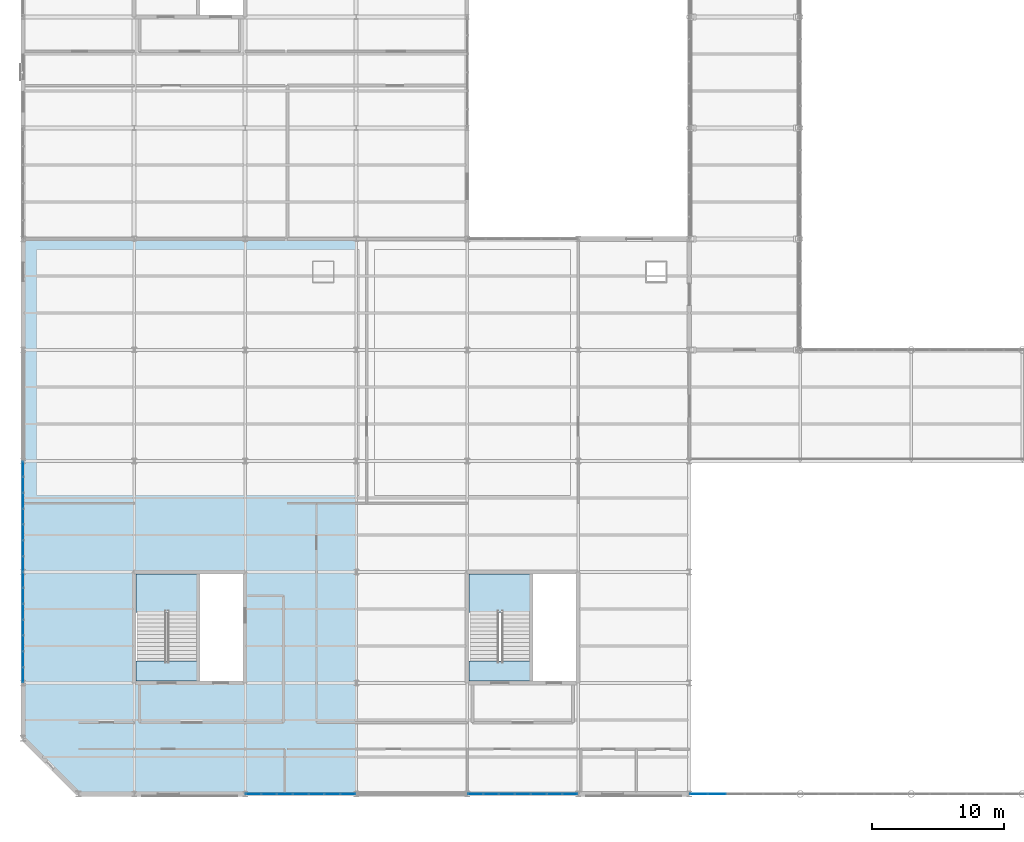
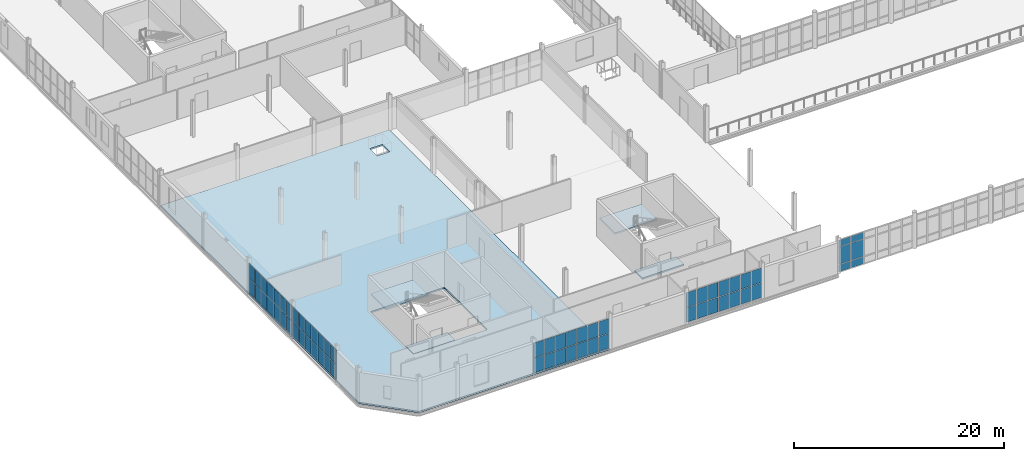
# One storey, part 112 of 163: 62 plates, 5 slabs, 7 elements without a shape of their own.
"""IFC4 building model written with IfcOpenShell, lengths in metres."""

from ifc_helpers import new_model, si_unit, direction, frame, origin, origin_2d, place, context, subcontext, project, spatial, polyline, rectangle, outline, extrude, material, layer, layer_set, type_object, element, aggregate, save


model = new_model("IFC4")

# Units and contexts
model_context = context("Model", 3, precision=1e-05, world=origin(), true_north=direction((0.0, 1.0)))
body_context = subcontext(model_context, "Body", "Model", "MODEL_VIEW")
ifc_project = project(units=[si_unit("LENGTHUNIT", "METRE"), si_unit("AREAUNIT", "SQUARE_METRE"), si_unit("VOLUMEUNIT", "CUBIC_METRE"), si_unit("PLANEANGLEUNIT", "RADIAN"), si_unit("MASSUNIT", "GRAM", prefix="KILO")], contexts=[model_context])

# Site, building, storey
site_placement = place(None, origin())
site = spatial("IfcSite", under=ifc_project, at=site_placement, CompositionType="ELEMENT")
building_placement = place(site_placement, origin())
building = spatial("IfcBuilding", under=site, at=building_placement, Name="Qalvenar Corner Mobility Hub", CompositionType="ELEMENT")
storey_placement = place(building_placement, frame((0.0, 0.0, 4.800048828125)))
storey = spatial("IfcBuildingStorey", under=building, at=storey_placement, Name="L01", CompositionType="ELEMENT", Elevation=4.800048828125)

# Curtain wall, plates
ifc_material_1 = material(Name="Anodised Aluminium and Low-E Glazing", Category="aluminium")
ifc_layer_1 = layer(ifc_material_1, 0.14990234375)
ifc_layer_set_1 = layer_set([ifc_layer_1], Name="Anodised Aluminium and Low-E Glazing")
curtain_wall_type_1 = type_object("IfcCurtainWallType", Name="CW-CIV-84X40", PredefinedType="NOTDEFINED", material=ifc_layer_set_1)
curtain_wall_1_placement = place(storey_placement, origin())
curtain_wall_1 = element("IfcCurtainWall", 1, at=curtain_wall_1_placement, inside=storey, type_object=curtain_wall_type_1, Name="Glazed Curtain Wall CW-V3-L01-S2", PredefinedType="NOTDEFINED")
ifc_material_2 = material(Name="Solar-Control Low-E Double Glazing", Category="glass")
ifc_layer_2 = layer(ifc_material_2, 0.028076171875)
ifc_layer_set_2 = layer_set([ifc_layer_2], Name="Solar-Control Low-E Double Glazing")
plate_type = type_object("IfcPlateType", Name="PLT-CWP-GLZ1", PredefinedType="CURTAIN_PANEL", material=ifc_layer_set_2)
plate_1_placement = place(storey_placement, frame((17.4150390625, 0.0, 0.05517578125), z_axis=(0.0, 0.0, 1.0), x_axis=(1.0, 0.0, 0.0)))
plate_1 = element("IfcPlate", 2, at=plate_1_placement, type_object=plate_type, Name="CW-05 panel 1.1", PredefinedType="CURTAIN_PANEL", context=body_context, shape_type="SweptSolid", body=[
    extrude(rectangle(XDim=1.110107421875, YDim=0.028076171875, at=origin_2d()), origin(), (0.0, 0.0, 1.0), 1.702392578125),
])
plate_2_placement = place(storey_placement, frame((17.4150390625, 0.0, 1.8125), z_axis=(0.0, 0.0, 1.0), x_axis=(1.0, 0.0, 0.0)))
plate_2 = element("IfcPlate", 3, at=plate_2_placement, type_object=plate_type, Name="CW-05 panel 1.2", PredefinedType="CURTAIN_PANEL", context=body_context, shape_type="SweptSolid", body=[
    extrude(rectangle(XDim=1.110107421875, YDim=0.028076171875, at=origin_2d()), origin(), (0.0, 0.0, 1.0), 1.702392578125),
])
plate_3_placement = place(storey_placement, frame((18.60009765625, 0.0, 0.05517578125), z_axis=(0.0, 0.0, 1.0), x_axis=(1.0, 0.0, 0.0)))
plate_3 = element("IfcPlate", 4, at=plate_3_placement, type_object=plate_type, Name="CW-05 panel 2.1", PredefinedType="CURTAIN_PANEL", context=body_context, shape_type="SweptSolid", body=[
    extrude(rectangle(XDim=1.139892578125, YDim=0.028076171875, at=origin_2d()), origin(), (0.0, 0.0, 1.0), 1.702392578125),
])
plate_4_placement = place(storey_placement, frame((18.60009765625, 0.0, 1.8125), z_axis=(0.0, 0.0, 1.0), x_axis=(1.0, 0.0, 0.0)))
plate_4 = element("IfcPlate", 5, at=plate_4_placement, type_object=plate_type, Name="CW-05 panel 2.2", PredefinedType="CURTAIN_PANEL", context=body_context, shape_type="SweptSolid", body=[
    extrude(rectangle(XDim=1.139892578125, YDim=0.028076171875, at=origin_2d()), origin(), (0.0, 0.0, 1.0), 1.702392578125),
])
plate_5_placement = place(storey_placement, frame((19.800048828125, 0.0, 0.05517578125), z_axis=(0.0, 0.0, 1.0), x_axis=(1.0, 0.0, 0.0)))
plate_5 = element("IfcPlate", 6, at=plate_5_placement, type_object=plate_type, Name="CW-05 panel 3.1", PredefinedType="CURTAIN_PANEL", context=body_context, shape_type="SweptSolid", body=[
    extrude(rectangle(XDim=1.139892578125, YDim=0.028076171875, at=origin_2d()), origin(), (0.0, 0.0, 1.0), 1.702392578125),
])
plate_6_placement = place(storey_placement, frame((19.800048828125, 0.0, 1.8125), z_axis=(0.0, 0.0, 1.0), x_axis=(1.0, 0.0, 0.0)))
plate_6 = element("IfcPlate", 7, at=plate_6_placement, type_object=plate_type, Name="CW-05 panel 3.2", PredefinedType="CURTAIN_PANEL", context=body_context, shape_type="SweptSolid", body=[
    extrude(rectangle(XDim=1.139892578125, YDim=0.028076171875, at=origin_2d()), origin(), (0.0, 0.0, 1.0), 1.702392578125),
])
plate_7_placement = place(storey_placement, frame((21.0, 0.0, 0.05517578125), z_axis=(0.0, 0.0, 1.0), x_axis=(1.0, 0.0, 0.0)))
plate_7 = element("IfcPlate", 8, at=plate_7_placement, type_object=plate_type, Name="CW-05 panel 4.1", PredefinedType="CURTAIN_PANEL", context=body_context, shape_type="SweptSolid", body=[
    extrude(rectangle(XDim=1.139892578125, YDim=0.028076171875, at=origin_2d()), origin(), (0.0, 0.0, 1.0), 1.702392578125),
])
plate_8_placement = place(storey_placement, frame((21.0, 0.0, 1.8125), z_axis=(0.0, 0.0, 1.0), x_axis=(1.0, 0.0, 0.0)))
plate_8 = element("IfcPlate", 9, at=plate_8_placement, type_object=plate_type, Name="CW-05 panel 4.2", PredefinedType="CURTAIN_PANEL", context=body_context, shape_type="SweptSolid", body=[
    extrude(rectangle(XDim=1.139892578125, YDim=0.028076171875, at=origin_2d()), origin(), (0.0, 0.0, 1.0), 1.702392578125),
])
plate_9_placement = place(storey_placement, frame((22.199951171875, 0.0, 0.05517578125), z_axis=(0.0, 0.0, 1.0), x_axis=(1.0, 0.0, 0.0)))
plate_9 = element("IfcPlate", 10, at=plate_9_placement, type_object=plate_type, Name="CW-05 panel 5.1", PredefinedType="CURTAIN_PANEL", context=body_context, shape_type="SweptSolid", body=[
    extrude(rectangle(XDim=1.139892578125, YDim=0.028076171875, at=origin_2d()), origin(), (0.0, 0.0, 1.0), 1.702392578125),
])
plate_10_placement = place(storey_placement, frame((22.199951171875, 0.0, 1.8125), z_axis=(0.0, 0.0, 1.0), x_axis=(1.0, 0.0, 0.0)))
plate_10 = element("IfcPlate", 11, at=plate_10_placement, type_object=plate_type, Name="CW-05 panel 5.2", PredefinedType="CURTAIN_PANEL", context=body_context, shape_type="SweptSolid", body=[
    extrude(rectangle(XDim=1.139892578125, YDim=0.028076171875, at=origin_2d()), origin(), (0.0, 0.0, 1.0), 1.702392578125),
])
plate_11_placement = place(storey_placement, frame((23.39990234375, 0.0, 0.05517578125), z_axis=(0.0, 0.0, 1.0), x_axis=(1.0, 0.0, 0.0)))
plate_11 = element("IfcPlate", 12, at=plate_11_placement, type_object=plate_type, Name="CW-05 panel 6.1", PredefinedType="CURTAIN_PANEL", context=body_context, shape_type="SweptSolid", body=[
    extrude(rectangle(XDim=1.139892578125, YDim=0.028076171875, at=origin_2d()), origin(), (0.0, 0.0, 1.0), 1.702392578125),
])
plate_12_placement = place(storey_placement, frame((23.39990234375, 0.0, 1.8125), z_axis=(0.0, 0.0, 1.0), x_axis=(1.0, 0.0, 0.0)))
plate_12 = element("IfcPlate", 13, at=plate_12_placement, type_object=plate_type, Name="CW-05 panel 6.2", PredefinedType="CURTAIN_PANEL", context=body_context, shape_type="SweptSolid", body=[
    extrude(rectangle(XDim=1.139892578125, YDim=0.028076171875, at=origin_2d()), origin(), (0.0, 0.0, 1.0), 1.702392578125),
])
plate_13_placement = place(storey_placement, frame((24.5849609375, 0.0, 0.05517578125), z_axis=(0.0, 0.0, 1.0), x_axis=(1.0, 0.0, 0.0)))
plate_13 = element("IfcPlate", 14, at=plate_13_placement, type_object=plate_type, Name="CW-05 panel 7.1", PredefinedType="CURTAIN_PANEL", context=body_context, shape_type="SweptSolid", body=[
    extrude(rectangle(XDim=1.110107421875, YDim=0.028076171875, at=origin_2d()), origin(), (0.0, 0.0, 1.0), 1.702392578125),
])
plate_14_placement = place(storey_placement, frame((24.5849609375, 0.0, 1.8125), z_axis=(0.0, 0.0, 1.0), x_axis=(1.0, 0.0, 0.0)))
plate_14 = element("IfcPlate", 15, at=plate_14_placement, type_object=plate_type, Name="CW-05 panel 7.2", PredefinedType="CURTAIN_PANEL", context=body_context, shape_type="SweptSolid", body=[
    extrude(rectangle(XDim=1.110107421875, YDim=0.028076171875, at=origin_2d()), origin(), (0.0, 0.0, 1.0), 1.702392578125),
])
aggregate(curtain_wall_1, [plate_1, plate_2, plate_3, plate_4, plate_5, plate_6, plate_7, plate_8, plate_9, plate_10, plate_11, plate_12, plate_13, plate_14])

curtain_wall_2_placement = place(storey_placement, origin())
curtain_wall_2 = element("IfcCurtainWall", 16, at=curtain_wall_2_placement, inside=storey, type_object=curtain_wall_type_1, Name="Glazed Curtain Wall CW-V3-L01-S4", PredefinedType="NOTDEFINED")
plate_15_placement = place(storey_placement, frame((34.215087890625, 0.0, 0.05517578125), z_axis=(0.0, 0.0, 1.0), x_axis=(1.0, 0.0, 0.0)))
plate_15 = element("IfcPlate", 17, at=plate_15_placement, type_object=plate_type, Name="CW-05 panel 1.1", PredefinedType="CURTAIN_PANEL", context=body_context, shape_type="SweptSolid", body=[
    extrude(rectangle(XDim=1.110107421875, YDim=0.028076171875, at=origin_2d()), origin(), (0.0, 0.0, 1.0), 1.702392578125),
])
plate_16_placement = place(storey_placement, frame((34.215087890625, 0.0, 1.8125), z_axis=(0.0, 0.0, 1.0), x_axis=(1.0, 0.0, 0.0)))
plate_16 = element("IfcPlate", 18, at=plate_16_placement, type_object=plate_type, Name="CW-05 panel 1.2", PredefinedType="CURTAIN_PANEL", context=body_context, shape_type="SweptSolid", body=[
    extrude(rectangle(XDim=1.110107421875, YDim=0.028076171875, at=origin_2d()), origin(), (0.0, 0.0, 1.0), 1.702392578125),
])
plate_17_placement = place(storey_placement, frame((35.39990234375, 0.0, 0.05517578125), z_axis=(0.0, 0.0, 1.0), x_axis=(1.0, 0.0, 0.0)))
plate_17 = element("IfcPlate", 19, at=plate_17_placement, type_object=plate_type, Name="CW-05 panel 2.1", PredefinedType="CURTAIN_PANEL", context=body_context, shape_type="SweptSolid", body=[
    extrude(rectangle(XDim=1.139892578125, YDim=0.028076171875, at=origin_2d()), origin(), (0.0, 0.0, 1.0), 1.702392578125),
])
plate_18_placement = place(storey_placement, frame((35.39990234375, 0.0, 1.8125), z_axis=(0.0, 0.0, 1.0), x_axis=(1.0, 0.0, 0.0)))
plate_18 = element("IfcPlate", 20, at=plate_18_placement, type_object=plate_type, Name="CW-05 panel 2.2", PredefinedType="CURTAIN_PANEL", context=body_context, shape_type="SweptSolid", body=[
    extrude(rectangle(XDim=1.139892578125, YDim=0.028076171875, at=origin_2d()), origin(), (0.0, 0.0, 1.0), 1.702392578125),
])
plate_19_placement = place(storey_placement, frame((36.60009765625, 0.0, 0.05517578125), z_axis=(0.0, 0.0, 1.0), x_axis=(1.0, 0.0, 0.0)))
plate_19 = element("IfcPlate", 21, at=plate_19_placement, type_object=plate_type, Name="CW-05 panel 3.1", PredefinedType="CURTAIN_PANEL", context=body_context, shape_type="SweptSolid", body=[
    extrude(rectangle(XDim=1.139892578125, YDim=0.028076171875, at=origin_2d()), origin(), (0.0, 0.0, 1.0), 1.702392578125),
])
plate_20_placement = place(storey_placement, frame((36.60009765625, 0.0, 1.8125), z_axis=(0.0, 0.0, 1.0), x_axis=(1.0, 0.0, 0.0)))
plate_20 = element("IfcPlate", 22, at=plate_20_placement, type_object=plate_type, Name="CW-05 panel 3.2", PredefinedType="CURTAIN_PANEL", context=body_context, shape_type="SweptSolid", body=[
    extrude(rectangle(XDim=1.139892578125, YDim=0.028076171875, at=origin_2d()), origin(), (0.0, 0.0, 1.0), 1.702392578125),
])
plate_21_placement = place(storey_placement, frame((37.800048828125, 0.0, 0.05517578125), z_axis=(0.0, 0.0, 1.0), x_axis=(1.0, 0.0, 0.0)))
plate_21 = element("IfcPlate", 23, at=plate_21_placement, type_object=plate_type, Name="CW-05 panel 4.1", PredefinedType="CURTAIN_PANEL", context=body_context, shape_type="SweptSolid", body=[
    extrude(rectangle(XDim=1.139892578125, YDim=0.028076171875, at=origin_2d()), origin(), (0.0, 0.0, 1.0), 1.702392578125),
])
plate_22_placement = place(storey_placement, frame((37.800048828125, 0.0, 1.8125), z_axis=(0.0, 0.0, 1.0), x_axis=(1.0, 0.0, 0.0)))
plate_22 = element("IfcPlate", 24, at=plate_22_placement, type_object=plate_type, Name="CW-05 panel 4.2", PredefinedType="CURTAIN_PANEL", context=body_context, shape_type="SweptSolid", body=[
    extrude(rectangle(XDim=1.139892578125, YDim=0.028076171875, at=origin_2d()), origin(), (0.0, 0.0, 1.0), 1.702392578125),
])
plate_23_placement = place(storey_placement, frame((39.0, 0.0, 0.05517578125), z_axis=(0.0, 0.0, 1.0), x_axis=(1.0, 0.0, 0.0)))
plate_23 = element("IfcPlate", 25, at=plate_23_placement, type_object=plate_type, Name="CW-05 panel 5.1", PredefinedType="CURTAIN_PANEL", context=body_context, shape_type="SweptSolid", body=[
    extrude(rectangle(XDim=1.139892578125, YDim=0.028076171875, at=origin_2d()), origin(), (0.0, 0.0, 1.0), 1.702392578125),
])
plate_24_placement = place(storey_placement, frame((39.0, 0.0, 1.8125), z_axis=(0.0, 0.0, 1.0), x_axis=(1.0, 0.0, 0.0)))
plate_24 = element("IfcPlate", 26, at=plate_24_placement, type_object=plate_type, Name="CW-05 panel 5.2", PredefinedType="CURTAIN_PANEL", context=body_context, shape_type="SweptSolid", body=[
    extrude(rectangle(XDim=1.139892578125, YDim=0.028076171875, at=origin_2d()), origin(), (0.0, 0.0, 1.0), 1.702392578125),
])
plate_25_placement = place(storey_placement, frame((40.199951171875, 0.0, 0.05517578125), z_axis=(0.0, 0.0, 1.0), x_axis=(1.0, 0.0, 0.0)))
plate_25 = element("IfcPlate", 27, at=plate_25_placement, type_object=plate_type, Name="CW-05 panel 6.1", PredefinedType="CURTAIN_PANEL", context=body_context, shape_type="SweptSolid", body=[
    extrude(rectangle(XDim=1.139892578125, YDim=0.028076171875, at=origin_2d()), origin(), (0.0, 0.0, 1.0), 1.702392578125),
])
plate_26_placement = place(storey_placement, frame((40.199951171875, 0.0, 1.8125), z_axis=(0.0, 0.0, 1.0), x_axis=(1.0, 0.0, 0.0)))
plate_26 = element("IfcPlate", 28, at=plate_26_placement, type_object=plate_type, Name="CW-05 panel 6.2", PredefinedType="CURTAIN_PANEL", context=body_context, shape_type="SweptSolid", body=[
    extrude(rectangle(XDim=1.139892578125, YDim=0.028076171875, at=origin_2d()), origin(), (0.0, 0.0, 1.0), 1.702392578125),
])
plate_27_placement = place(storey_placement, frame((41.385009765625, 0.0, 0.05517578125), z_axis=(0.0, 0.0, 1.0), x_axis=(1.0, 0.0, 0.0)))
plate_27 = element("IfcPlate", 29, at=plate_27_placement, type_object=plate_type, Name="CW-05 panel 7.1", PredefinedType="CURTAIN_PANEL", context=body_context, shape_type="SweptSolid", body=[
    extrude(rectangle(XDim=1.110107421875, YDim=0.028076171875, at=origin_2d()), origin(), (0.0, 0.0, 1.0), 1.702392578125),
])
plate_28_placement = place(storey_placement, frame((41.385009765625, 0.0, 1.8125), z_axis=(0.0, 0.0, 1.0), x_axis=(1.0, 0.0, 0.0)))
plate_28 = element("IfcPlate", 30, at=plate_28_placement, type_object=plate_type, Name="CW-05 panel 7.2", PredefinedType="CURTAIN_PANEL", context=body_context, shape_type="SweptSolid", body=[
    extrude(rectangle(XDim=1.110107421875, YDim=0.028076171875, at=origin_2d()), origin(), (0.0, 0.0, 1.0), 1.702392578125),
])
aggregate(curtain_wall_2, [plate_15, plate_16, plate_17, plate_18, plate_19, plate_20, plate_21, plate_22, plate_23, plate_24, plate_25, plate_26, plate_27, plate_28])

curtain_wall_3_placement = place(storey_placement, origin())
curtain_wall_3 = element("IfcCurtainWall", 31, at=curtain_wall_3_placement, inside=storey, type_object=curtain_wall_type_1, Name="Glazed Curtain Wall CW-V3-L01-W1", PredefinedType="NOTDEFINED")
plate_29_placement = place(storey_placement, frame((0.0, 16.18505859375, 0.05517578125), z_axis=(0.0, 0.0, 1.0), x_axis=(0.0, -1.0, 0.0)))
plate_29 = element("IfcPlate", 32, at=plate_29_placement, type_object=plate_type, Name="CW-05 panel 1.1", PredefinedType="CURTAIN_PANEL", context=body_context, shape_type="SweptSolid", body=[
    extrude(rectangle(XDim=1.110107421875, YDim=0.028076171875, at=origin_2d()), origin(), (0.0, 0.0, 1.0), 1.702392578125),
])
plate_30_placement = place(storey_placement, frame((0.0, 16.18505859375, 1.8125), z_axis=(0.0, 0.0, 1.0), x_axis=(0.0, -1.0, 0.0)))
plate_30 = element("IfcPlate", 33, at=plate_30_placement, type_object=plate_type, Name="CW-05 panel 1.2", PredefinedType="CURTAIN_PANEL", context=body_context, shape_type="SweptSolid", body=[
    extrude(rectangle(XDim=1.110107421875, YDim=0.028076171875, at=origin_2d()), origin(), (0.0, 0.0, 1.0), 1.702392578125),
])
plate_31_placement = place(storey_placement, frame((0.0, 15.0, 0.05517578125), z_axis=(0.0, 0.0, 1.0), x_axis=(0.0, -1.0, 0.0)))
plate_31 = element("IfcPlate", 34, at=plate_31_placement, type_object=plate_type, Name="CW-05 panel 2.1", PredefinedType="CURTAIN_PANEL", context=body_context, shape_type="SweptSolid", body=[
    extrude(rectangle(XDim=1.139892578125, YDim=0.028076171875, at=origin_2d()), origin(), (0.0, 0.0, 1.0), 1.702392578125),
])
plate_32_placement = place(storey_placement, frame((0.0, 15.0, 1.8125), z_axis=(0.0, 0.0, 1.0), x_axis=(0.0, -1.0, 0.0)))
plate_32 = element("IfcPlate", 35, at=plate_32_placement, type_object=plate_type, Name="CW-05 panel 2.2", PredefinedType="CURTAIN_PANEL", context=body_context, shape_type="SweptSolid", body=[
    extrude(rectangle(XDim=1.139892578125, YDim=0.028076171875, at=origin_2d()), origin(), (0.0, 0.0, 1.0), 1.702392578125),
])
plate_33_placement = place(storey_placement, frame((0.0, 13.800048828125, 0.05517578125), z_axis=(0.0, 0.0, 1.0), x_axis=(0.0, -1.0, 0.0)))
plate_33 = element("IfcPlate", 36, at=plate_33_placement, type_object=plate_type, Name="CW-05 panel 3.1", PredefinedType="CURTAIN_PANEL", context=body_context, shape_type="SweptSolid", body=[
    extrude(rectangle(XDim=1.139892578125, YDim=0.028076171875, at=origin_2d()), origin(), (0.0, 0.0, 1.0), 1.702392578125),
])
plate_34_placement = place(storey_placement, frame((0.0, 13.800048828125, 1.8125), z_axis=(0.0, 0.0, 1.0), x_axis=(0.0, -1.0, 0.0)))
plate_34 = element("IfcPlate", 37, at=plate_34_placement, type_object=plate_type, Name="CW-05 panel 3.2", PredefinedType="CURTAIN_PANEL", context=body_context, shape_type="SweptSolid", body=[
    extrude(rectangle(XDim=1.139892578125, YDim=0.028076171875, at=origin_2d()), origin(), (0.0, 0.0, 1.0), 1.702392578125),
])
plate_35_placement = place(storey_placement, frame((0.0, 12.60009765625, 0.05517578125), z_axis=(0.0, 0.0, 1.0), x_axis=(0.0, -1.0, 0.0)))
plate_35 = element("IfcPlate", 38, at=plate_35_placement, type_object=plate_type, Name="CW-05 panel 4.1", PredefinedType="CURTAIN_PANEL", context=body_context, shape_type="SweptSolid", body=[
    extrude(rectangle(XDim=1.139892578125, YDim=0.028076171875, at=origin_2d()), origin(), (0.0, 0.0, 1.0), 1.702392578125),
])
plate_36_placement = place(storey_placement, frame((0.0, 12.60009765625, 1.8125), z_axis=(0.0, 0.0, 1.0), x_axis=(0.0, -1.0, 0.0)))
plate_36 = element("IfcPlate", 39, at=plate_36_placement, type_object=plate_type, Name="CW-05 panel 4.2", PredefinedType="CURTAIN_PANEL", context=body_context, shape_type="SweptSolid", body=[
    extrude(rectangle(XDim=1.139892578125, YDim=0.028076171875, at=origin_2d()), origin(), (0.0, 0.0, 1.0), 1.702392578125),
])
plate_37_placement = place(storey_placement, frame((0.0, 11.39990234375, 0.05517578125), z_axis=(0.0, 0.0, 1.0), x_axis=(0.0, -1.0, 0.0)))
plate_37 = element("IfcPlate", 40, at=plate_37_placement, type_object=plate_type, Name="CW-05 panel 5.1", PredefinedType="CURTAIN_PANEL", context=body_context, shape_type="SweptSolid", body=[
    extrude(rectangle(XDim=1.139892578125, YDim=0.028076171875, at=origin_2d()), origin(), (0.0, 0.0, 1.0), 1.702392578125),
])
plate_38_placement = place(storey_placement, frame((0.0, 11.39990234375, 1.8125), z_axis=(0.0, 0.0, 1.0), x_axis=(0.0, -1.0, 0.0)))
plate_38 = element("IfcPlate", 41, at=plate_38_placement, type_object=plate_type, Name="CW-05 panel 5.2", PredefinedType="CURTAIN_PANEL", context=body_context, shape_type="SweptSolid", body=[
    extrude(rectangle(XDim=1.139892578125, YDim=0.028076171875, at=origin_2d()), origin(), (0.0, 0.0, 1.0), 1.702392578125),
])
plate_39_placement = place(storey_placement, frame((0.0, 10.199951171875, 0.05517578125), z_axis=(0.0, 0.0, 1.0), x_axis=(0.0, -1.0, 0.0)))
plate_39 = element("IfcPlate", 42, at=plate_39_placement, type_object=plate_type, Name="CW-05 panel 6.1", PredefinedType="CURTAIN_PANEL", context=body_context, shape_type="SweptSolid", body=[
    extrude(rectangle(XDim=1.139892578125, YDim=0.028076171875, at=origin_2d()), origin(), (0.0, 0.0, 1.0), 1.702392578125),
])
plate_40_placement = place(storey_placement, frame((0.0, 10.199951171875, 1.8125), z_axis=(0.0, 0.0, 1.0), x_axis=(0.0, -1.0, 0.0)))
plate_40 = element("IfcPlate", 43, at=plate_40_placement, type_object=plate_type, Name="CW-05 panel 6.2", PredefinedType="CURTAIN_PANEL", context=body_context, shape_type="SweptSolid", body=[
    extrude(rectangle(XDim=1.139892578125, YDim=0.028076171875, at=origin_2d()), origin(), (0.0, 0.0, 1.0), 1.702392578125),
])
plate_41_placement = place(storey_placement, frame((0.0, 9.014892578125, 0.05517578125), z_axis=(0.0, 0.0, 1.0), x_axis=(0.0, -1.0, 0.0)))
plate_41 = element("IfcPlate", 44, at=plate_41_placement, type_object=plate_type, Name="CW-05 panel 7.1", PredefinedType="CURTAIN_PANEL", context=body_context, shape_type="SweptSolid", body=[
    extrude(rectangle(XDim=1.110107421875, YDim=0.028076171875, at=origin_2d()), origin(), (0.0, 0.0, 1.0), 1.702392578125),
])
plate_42_placement = place(storey_placement, frame((0.0, 9.014892578125, 1.8125), z_axis=(0.0, 0.0, 1.0), x_axis=(0.0, -1.0, 0.0)))
plate_42 = element("IfcPlate", 45, at=plate_42_placement, type_object=plate_type, Name="CW-05 panel 7.2", PredefinedType="CURTAIN_PANEL", context=body_context, shape_type="SweptSolid", body=[
    extrude(rectangle(XDim=1.110107421875, YDim=0.028076171875, at=origin_2d()), origin(), (0.0, 0.0, 1.0), 1.702392578125),
])
aggregate(curtain_wall_3, [plate_29, plate_30, plate_31, plate_32, plate_33, plate_34, plate_35, plate_36, plate_37, plate_38, plate_39, plate_40, plate_41, plate_42])

curtain_wall_4_placement = place(storey_placement, origin())
curtain_wall_4 = element("IfcCurtainWall", 46, at=curtain_wall_4_placement, inside=storey, type_object=curtain_wall_type_1, Name="Glazed Curtain Wall CW-V3-L01-W2", PredefinedType="NOTDEFINED")
plate_43_placement = place(storey_placement, frame((0.0, 24.5849609375, 0.05517578125), z_axis=(0.0, 0.0, 1.0), x_axis=(0.0, -1.0, 0.0)))
plate_43 = element("IfcPlate", 47, at=plate_43_placement, type_object=plate_type, Name="CW-05 panel 1.1", PredefinedType="CURTAIN_PANEL", context=body_context, shape_type="SweptSolid", body=[
    extrude(rectangle(XDim=1.110107421875, YDim=0.028076171875, at=origin_2d()), origin(), (0.0, 0.0, 1.0), 1.702392578125),
])
plate_44_placement = place(storey_placement, frame((0.0, 24.5849609375, 1.8125), z_axis=(0.0, 0.0, 1.0), x_axis=(0.0, -1.0, 0.0)))
plate_44 = element("IfcPlate", 48, at=plate_44_placement, type_object=plate_type, Name="CW-05 panel 1.2", PredefinedType="CURTAIN_PANEL", context=body_context, shape_type="SweptSolid", body=[
    extrude(rectangle(XDim=1.110107421875, YDim=0.028076171875, at=origin_2d()), origin(), (0.0, 0.0, 1.0), 1.702392578125),
])
plate_45_placement = place(storey_placement, frame((0.0, 23.39990234375, 0.05517578125), z_axis=(0.0, 0.0, 1.0), x_axis=(0.0, -1.0, 0.0)))
plate_45 = element("IfcPlate", 49, at=plate_45_placement, type_object=plate_type, Name="CW-05 panel 2.1", PredefinedType="CURTAIN_PANEL", context=body_context, shape_type="SweptSolid", body=[
    extrude(rectangle(XDim=1.139892578125, YDim=0.028076171875, at=origin_2d()), origin(), (0.0, 0.0, 1.0), 1.702392578125),
])
plate_46_placement = place(storey_placement, frame((0.0, 23.39990234375, 1.8125), z_axis=(0.0, 0.0, 1.0), x_axis=(0.0, -1.0, 0.0)))
plate_46 = element("IfcPlate", 50, at=plate_46_placement, type_object=plate_type, Name="CW-05 panel 2.2", PredefinedType="CURTAIN_PANEL", context=body_context, shape_type="SweptSolid", body=[
    extrude(rectangle(XDim=1.139892578125, YDim=0.028076171875, at=origin_2d()), origin(), (0.0, 0.0, 1.0), 1.702392578125),
])
plate_47_placement = place(storey_placement, frame((0.0, 22.199951171875, 0.05517578125), z_axis=(0.0, 0.0, 1.0), x_axis=(0.0, -1.0, 0.0)))
plate_47 = element("IfcPlate", 51, at=plate_47_placement, type_object=plate_type, Name="CW-05 panel 3.1", PredefinedType="CURTAIN_PANEL", context=body_context, shape_type="SweptSolid", body=[
    extrude(rectangle(XDim=1.139892578125, YDim=0.028076171875, at=origin_2d()), origin(), (0.0, 0.0, 1.0), 1.702392578125),
])
plate_48_placement = place(storey_placement, frame((0.0, 22.199951171875, 1.8125), z_axis=(0.0, 0.0, 1.0), x_axis=(0.0, -1.0, 0.0)))
plate_48 = element("IfcPlate", 52, at=plate_48_placement, type_object=plate_type, Name="CW-05 panel 3.2", PredefinedType="CURTAIN_PANEL", context=body_context, shape_type="SweptSolid", body=[
    extrude(rectangle(XDim=1.139892578125, YDim=0.028076171875, at=origin_2d()), origin(), (0.0, 0.0, 1.0), 1.702392578125),
])
plate_49_placement = place(storey_placement, frame((0.0, 21.0, 0.05517578125), z_axis=(0.0, 0.0, 1.0), x_axis=(0.0, -1.0, 0.0)))
plate_49 = element("IfcPlate", 53, at=plate_49_placement, type_object=plate_type, Name="CW-05 panel 4.1", PredefinedType="CURTAIN_PANEL", context=body_context, shape_type="SweptSolid", body=[
    extrude(rectangle(XDim=1.139892578125, YDim=0.028076171875, at=origin_2d()), origin(), (0.0, 0.0, 1.0), 1.702392578125),
])
plate_50_placement = place(storey_placement, frame((0.0, 21.0, 1.8125), z_axis=(0.0, 0.0, 1.0), x_axis=(0.0, -1.0, 0.0)))
plate_50 = element("IfcPlate", 54, at=plate_50_placement, type_object=plate_type, Name="CW-05 panel 4.2", PredefinedType="CURTAIN_PANEL", context=body_context, shape_type="SweptSolid", body=[
    extrude(rectangle(XDim=1.139892578125, YDim=0.028076171875, at=origin_2d()), origin(), (0.0, 0.0, 1.0), 1.702392578125),
])
plate_51_placement = place(storey_placement, frame((0.0, 19.800048828125, 0.05517578125), z_axis=(0.0, 0.0, 1.0), x_axis=(0.0, -1.0, 0.0)))
plate_51 = element("IfcPlate", 55, at=plate_51_placement, type_object=plate_type, Name="CW-05 panel 5.1", PredefinedType="CURTAIN_PANEL", context=body_context, shape_type="SweptSolid", body=[
    extrude(rectangle(XDim=1.139892578125, YDim=0.028076171875, at=origin_2d()), origin(), (0.0, 0.0, 1.0), 1.702392578125),
])
plate_52_placement = place(storey_placement, frame((0.0, 19.800048828125, 1.8125), z_axis=(0.0, 0.0, 1.0), x_axis=(0.0, -1.0, 0.0)))
plate_52 = element("IfcPlate", 56, at=plate_52_placement, type_object=plate_type, Name="CW-05 panel 5.2", PredefinedType="CURTAIN_PANEL", context=body_context, shape_type="SweptSolid", body=[
    extrude(rectangle(XDim=1.139892578125, YDim=0.028076171875, at=origin_2d()), origin(), (0.0, 0.0, 1.0), 1.702392578125),
])
plate_53_placement = place(storey_placement, frame((0.0, 18.60009765625, 0.05517578125), z_axis=(0.0, 0.0, 1.0), x_axis=(0.0, -1.0, 0.0)))
plate_53 = element("IfcPlate", 57, at=plate_53_placement, type_object=plate_type, Name="CW-05 panel 6.1", PredefinedType="CURTAIN_PANEL", context=body_context, shape_type="SweptSolid", body=[
    extrude(rectangle(XDim=1.139892578125, YDim=0.028076171875, at=origin_2d()), origin(), (0.0, 0.0, 1.0), 1.702392578125),
])
plate_54_placement = place(storey_placement, frame((0.0, 18.60009765625, 1.8125), z_axis=(0.0, 0.0, 1.0), x_axis=(0.0, -1.0, 0.0)))
plate_54 = element("IfcPlate", 58, at=plate_54_placement, type_object=plate_type, Name="CW-05 panel 6.2", PredefinedType="CURTAIN_PANEL", context=body_context, shape_type="SweptSolid", body=[
    extrude(rectangle(XDim=1.139892578125, YDim=0.028076171875, at=origin_2d()), origin(), (0.0, 0.0, 1.0), 1.702392578125),
])
plate_55_placement = place(storey_placement, frame((0.0, 17.4150390625, 0.05517578125), z_axis=(0.0, 0.0, 1.0), x_axis=(0.0, -1.0, 0.0)))
plate_55 = element("IfcPlate", 59, at=plate_55_placement, type_object=plate_type, Name="CW-05 panel 7.1", PredefinedType="CURTAIN_PANEL", context=body_context, shape_type="SweptSolid", body=[
    extrude(rectangle(XDim=1.110107421875, YDim=0.028076171875, at=origin_2d()), origin(), (0.0, 0.0, 1.0), 1.702392578125),
])
plate_56_placement = place(storey_placement, frame((0.0, 17.4150390625, 1.8125), z_axis=(0.0, 0.0, 1.0), x_axis=(0.0, -1.0, 0.0)))
plate_56 = element("IfcPlate", 60, at=plate_56_placement, type_object=plate_type, Name="CW-05 panel 7.2", PredefinedType="CURTAIN_PANEL", context=body_context, shape_type="SweptSolid", body=[
    extrude(rectangle(XDim=1.110107421875, YDim=0.028076171875, at=origin_2d()), origin(), (0.0, 0.0, 1.0), 1.702392578125),
])
aggregate(curtain_wall_4, [plate_43, plate_44, plate_45, plate_46, plate_47, plate_48, plate_49, plate_50, plate_51, plate_52, plate_53, plate_54, plate_55, plate_56])

ifc_layer_3 = layer(ifc_material_1, 0.179931640625)
ifc_layer_set_3 = layer_set([ifc_layer_3], Name="Anodised Aluminium and Low-E Glazing")
curtain_wall_type_2 = type_object("IfcCurtainWallType", Name="CW-CONC-84X42", PredefinedType="NOTDEFINED", material=ifc_layer_set_3)
curtain_wall_5_placement = place(storey_placement, origin())
curtain_wall_5 = element("IfcCurtainWall", 61, at=curtain_wall_5_placement, inside=storey, type_object=curtain_wall_type_2, Name="Glazed Curtain Wall CW-V1-L01-S0", PredefinedType="NOTDEFINED")
plate_57_placement = place(storey_placement, frame((51.114990234375, 0.0, 0.054931640625), z_axis=(0.0, 0.0, 1.0), x_axis=(1.0, 0.0, 0.0)))
plate_57 = element("IfcPlate", 62, at=plate_57_placement, type_object=plate_type, Name="CW-02 panel 1.1", PredefinedType="CURTAIN_PANEL", context=body_context, shape_type="SweptSolid", body=[
    extrude(rectangle(XDim=1.31005859375, YDim=0.028076171875, at=origin_2d()), origin(), (0.0, 0.0, 1.0), 0.8173828125),
])
plate_58_placement = place(storey_placement, frame((51.114990234375, 0.0, 0.927490234375), z_axis=(0.0, 0.0, 1.0), x_axis=(1.0, 0.0, 0.0)))
plate_58 = element("IfcPlate", 63, at=plate_58_placement, type_object=plate_type, Name="CW-02 panel 1.2", PredefinedType="CURTAIN_PANEL", context=body_context, shape_type="SweptSolid", body=[
    extrude(rectangle(XDim=1.31005859375, YDim=0.028076171875, at=origin_2d()), origin(), (0.0, 0.0, 1.0), 1.9951171875),
])
plate_59_placement = place(storey_placement, frame((51.114990234375, 0.0, 2.977294921875), z_axis=(0.0, 0.0, 1.0), x_axis=(1.0, 0.0, 0.0)))
plate_59 = element("IfcPlate", 64, at=plate_59_placement, type_object=plate_type, Name="CW-02 panel 1.3", PredefinedType="CURTAIN_PANEL", context=body_context, shape_type="SweptSolid", body=[
    extrude(rectangle(XDim=1.31005859375, YDim=0.028076171875, at=origin_2d()), origin(), (0.0, 0.0, 1.0), 0.767578125),
])
plate_60_placement = place(storey_placement, frame((52.5, 0.0, 0.054931640625), z_axis=(0.0, 0.0, 1.0), x_axis=(1.0, 0.0, 0.0)))
plate_60 = element("IfcPlate", 65, at=plate_60_placement, type_object=plate_type, Name="CW-02 panel 2.1", PredefinedType="CURTAIN_PANEL", context=body_context, shape_type="SweptSolid", body=[
    extrude(rectangle(XDim=1.340087890625, YDim=0.028076171875, at=origin_2d()), origin(), (0.0, 0.0, 1.0), 0.8173828125),
])
plate_61_placement = place(storey_placement, frame((52.5, 0.0, 0.927490234375), z_axis=(0.0, 0.0, 1.0), x_axis=(1.0, 0.0, 0.0)))
plate_61 = element("IfcPlate", 66, at=plate_61_placement, type_object=plate_type, Name="CW-02 panel 2.2", PredefinedType="CURTAIN_PANEL", context=body_context, shape_type="SweptSolid", body=[
    extrude(rectangle(XDim=1.340087890625, YDim=0.028076171875, at=origin_2d()), origin(), (0.0, 0.0, 1.0), 1.9951171875),
])
plate_62_placement = place(storey_placement, frame((52.5, 0.0, 2.977294921875), z_axis=(0.0, 0.0, 1.0), x_axis=(1.0, 0.0, 0.0)))
plate_62 = element("IfcPlate", 67, at=plate_62_placement, type_object=plate_type, Name="CW-02 panel 2.3", PredefinedType="CURTAIN_PANEL", context=body_context, shape_type="SweptSolid", body=[
    extrude(rectangle(XDim=1.340087890625, YDim=0.028076171875, at=origin_2d()), origin(), (0.0, 0.0, 1.0), 0.767578125),
])
aggregate(curtain_wall_5, [plate_57, plate_58, plate_59, plate_60, plate_61, plate_62])

# Slab
ifc_material_3 = material(Name="Concrete C35/45", Category="concrete")
ifc_layer_4 = layer(ifc_material_3, 0.179931640625)
ifc_layer_set_4 = layer_set([ifc_layer_4], Name="Concrete C35/45")
slab_type_1 = type_object("IfcSlabType", Name="SLB-COMP180", PredefinedType="FLOOR", material=ifc_layer_set_4)
slab_1_placement = place(storey_placement, frame((0.0, 0.0, -0.179931640625)))
element("IfcSlab", 68, at=slab_1_placement, inside=storey, type_object=slab_type_1, Name="Composite Slab V3-A-L01", PredefinedType="FLOOR", context=body_context, shape_type="SweptSolid", body=[
    extrude(outline(polyline([(4.199951171875, 0.0), (25.199951171875, 0.0), (25.199951171875, 42.0), (0.0, 42.0), (0.0, 4.199951171875), (4.199951171875, 0.0)]), holes=[polyline([(8.530029296875, 8.530029296875), (16.669921875, 8.530029296875), (16.669921875, 16.669921875), (8.530029296875, 16.669921875), (8.530029296875, 8.530029296875)]), polyline([(22.0, 38.800048828125), (23.39990234375, 38.800048828125), (23.39990234375, 40.199951171875), (22.0, 40.199951171875), (22.0, 38.800048828125)])]), origin(), (0.0, 0.0, 1.0), 0.179931640625),
])

# Stair, slab
stair_type_1 = type_object("IfcStairType", Name="STR-220-H42", PredefinedType="HALF_TURN_STAIR", material=ifc_material_3)
stair_1_placement = place(storey_placement, origin())
stair_1 = element("IfcStair", 69, at=stair_1_placement, inside=storey, type_object=stair_type_1, Name="Exit Stair ST1 L01-L02", PredefinedType="HALF_TURN_STAIR")
ifc_layer_5 = layer(ifc_material_3, 0.179931640625)
ifc_layer_set_5 = layer_set([ifc_layer_5], Name="Concrete C35/45")
slab_type_2 = type_object("IfcSlabType", Name="SLB-LND180", PredefinedType="LANDING", material=ifc_layer_set_5)
slab_2_placement = place(storey_placement, frame((0.0, 0.0, 1.919921875)))
slab_2 = element("IfcSlab", 70, at=slab_2_placement, type_object=slab_type_2, Name="ST1 landing 1", PredefinedType="LANDING", context=body_context, shape_type="SweptSolid", body=[
    extrude(outline(polyline([(8.5400390625, 13.75), (13.179931640625, 13.75), (13.179931640625, 16.659912109375), (8.5400390625, 16.659912109375), (8.5400390625, 13.75)])), origin(), (0.0, 0.0, 1.0), 0.179931640625),
])
aggregate(stair_1, [slab_2])

stair_type_2 = type_object("IfcStairType", Name="STR-200-H42", PredefinedType="HALF_TURN_STAIR", material=ifc_material_3)
stair_2_placement = place(storey_placement, origin())
stair_2 = element("IfcStair", 71, at=stair_2_placement, inside=storey, type_object=stair_type_2, Name="Exit Stair ST2 L01-L02", PredefinedType="HALF_TURN_STAIR")
slab_3_placement = place(storey_placement, frame((0.0, 0.0, 1.919921875)))
slab_3 = element("IfcSlab", 72, at=slab_3_placement, type_object=slab_type_2, Name="ST2 landing 1", PredefinedType="LANDING", context=body_context, shape_type="SweptSolid", body=[
    extrude(outline(polyline([(33.739990234375, 13.75), (38.3798828125, 13.75), (38.3798828125, 16.659912109375), (33.739990234375, 16.659912109375), (33.739990234375, 13.75)])), origin(), (0.0, 0.0, 1.0), 0.179931640625),
])
aggregate(stair_2, [slab_3])

# Slabs
ifc_layer_6 = layer(ifc_material_3, 0.175048828125)
ifc_layer_set_6 = layer_set([ifc_layer_6], Name="Concrete C35/45")
slab_type_3 = type_object("IfcSlabType", Name="SLB-LND200", PredefinedType="LANDING", material=ifc_layer_set_6)
slab_4_placement = place(storey_placement, frame((0.0, 0.0, -0.175048828125)))
element("IfcSlab", 73, at=slab_4_placement, inside=storey, type_object=slab_type_3, Name="Core Stair Arrival Landing C1-L01", PredefinedType="LANDING", context=body_context, shape_type="SweptSolid", body=[
    extrude(outline(polyline([(8.550048828125, 8.550048828125), (13.169921875, 8.550048828125), (13.169921875, 10.050048828125), (8.550048828125, 10.050048828125), (8.550048828125, 8.550048828125)])), origin(), (0.0, 0.0, 1.0), 0.175048828125),
])
slab_5_placement = place(storey_placement, frame((0.0, 0.0, -0.175048828125)))
element("IfcSlab", 74, at=slab_5_placement, inside=storey, type_object=slab_type_3, Name="Core Stair Arrival Landing C2-L01", PredefinedType="LANDING", context=body_context, shape_type="SweptSolid", body=[
    extrude(outline(polyline([(33.75, 8.550048828125), (38.3701171875, 8.550048828125), (38.3701171875, 10.050048828125), (33.75, 10.050048828125), (33.75, 8.550048828125)])), origin(), (0.0, 0.0, 1.0), 0.175048828125),
])

save(model, "model.ifc")
